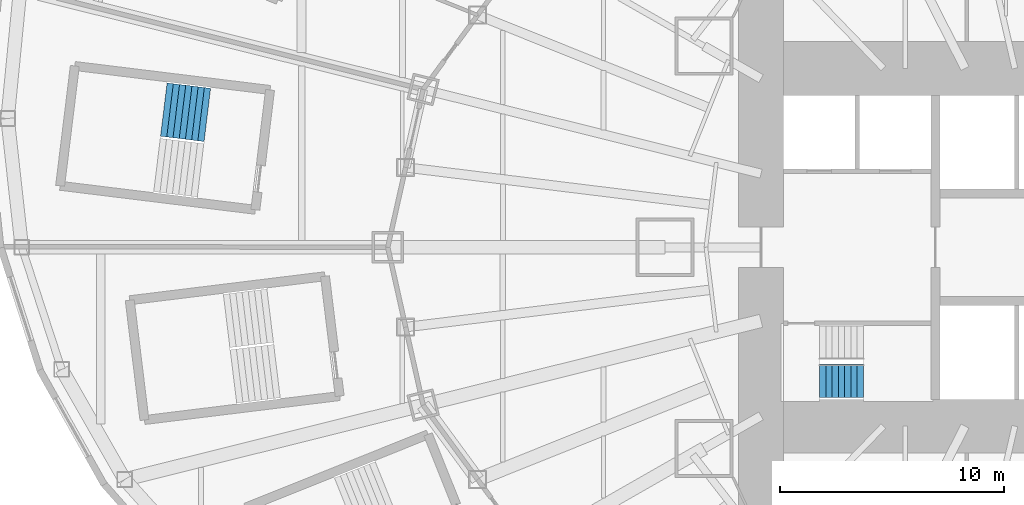
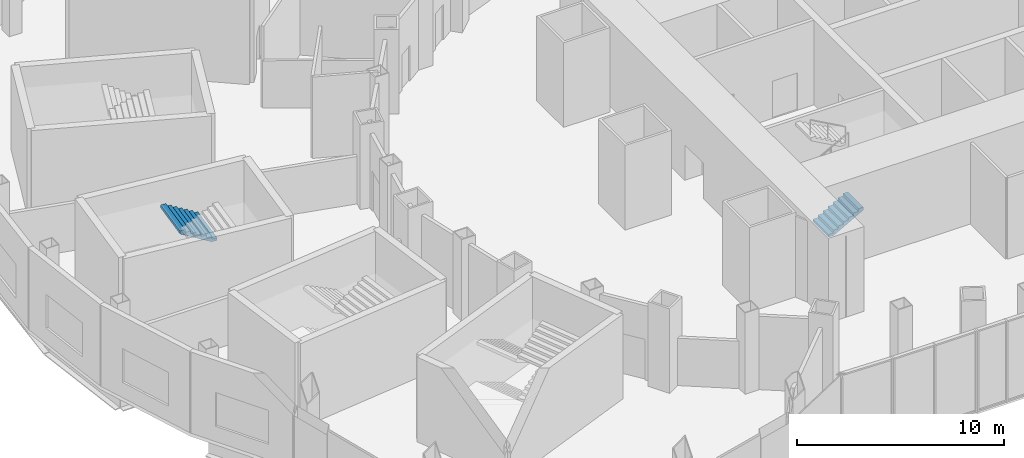
# One storey, part 30 of 73: 2 stair flights, 2 elements without a shape of their own.
"""IFC4 building model written with IfcOpenShell, lengths in metres."""

from ifc_helpers import new_model, si_unit, direction, frame, origin, place, context, subcontext, project, spatial, triangles, material, type_object, element, aggregate, save


model = new_model("IFC4")

# Units and contexts
model_context = context("Model", 3, precision=1e-05, world=origin(), true_north=direction((0.0, 1.0)))
body_context = subcontext(model_context, "Body", "Model", "MODEL_VIEW")
ifc_project = project(units=[si_unit("LENGTHUNIT", "METRE"), si_unit("AREAUNIT", "SQUARE_METRE"), si_unit("VOLUMEUNIT", "CUBIC_METRE"), si_unit("PLANEANGLEUNIT", "RADIAN"), si_unit("MASSUNIT", "GRAM", prefix="KILO")], contexts=[model_context])

# Site, building, storey
site_placement = place(None, origin())
site = spatial("IfcSite", under=ifc_project, at=site_placement, CompositionType="ELEMENT")
building_placement = place(site_placement, origin())
building = spatial("IfcBuilding", under=site, at=building_placement, Name="Lantaw Convention Tower", CompositionType="ELEMENT")
storey_placement = place(building_placement, frame((0.0, 0.0, 27.0)))
storey = spatial("IfcBuildingStorey", under=building, at=storey_placement, Name="L04", CompositionType="ELEMENT", Elevation=27.0)

# Stair, stair flight
ifc_material = material(Name="Concrete C35/45", Category="concrete")
stair_type_1 = type_object("IfcStairType", Name="Exit stair 1500 riser 156.25 in 4 flights", PredefinedType="HALF_TURN_STAIR", material=ifc_material)
stair_1_placement = place(storey_placement, origin())
stair_1 = element("IfcStair", 1, at=stair_1_placement, inside=storey, type_object=stair_type_1, Name="Exit stair S1 L04", PredefinedType="HALF_TURN_STAIR")
stair_flight_type_1 = type_object("IfcStairFlightType", Name="Stair flight 1500 riser 156.25", PredefinedType="STRAIGHT", material=ifc_material)
stair_flight_1_placement = place(storey_placement, frame((-10.580078125, -5.97998046875, 0.0), z_axis=(0.0, 0.0, 1.0), x_axis=(1.0, 0.0, 0.0)))
stair_flight_1 = element("IfcStairFlight", 2, at=stair_flight_1_placement, type_object=stair_flight_type_1, Name="S1 flight 1", NumberOfRisers=8, NumberOfTreads=7, PredefinedType="STRAIGHT", RiserHeight=0.15625, TreadLength=0.28, context=body_context, shape_type="Tessellation", body=[
    triangles([(0.0, 0.75, 0.0), (0.0, 0.75, 0.15625), (0.28, 0.75, 0.0), (0.28, 0.75, 0.15625), (0.28, 0.75, 0.3125), (0.3076200632058044, 0.75, 0.0), (0.3076200632058044, 0.75, 0.3125), (0.56, 0.75, 0.14083701830033238), (0.56, 0.75, 0.3125), (0.56, 0.75, 0.46875), (0.8400000000000001, 0.75, 0.29708701830033235), (0.8400000000000001, 0.75, 0.46875), (0.8400000000000001, 0.75, 0.625), (1.12, 0.75, 0.45333701830033235), (1.12, 0.75, 0.625), (1.12, 0.75, 0.78125), (1.4000000000000001, 0.75, 0.6095870183003324), (1.4000000000000001, 0.75, 0.78125), (1.4000000000000001, 0.75, 0.9375), (1.6800000000000002, 0.75, 0.7658370183003324), (1.6800000000000002, 0.75, 0.9375), (1.6800000000000002, 0.75, 1.09375), (1.9600000000000002, 0.75, 0.9220870183003324), (1.9600000000000002, 0.75, 1.09375), (0.0, -0.75, 0.0), (0.0, -0.75, 0.15625), (0.28, -0.75, 0.0), (0.28, -0.75, 0.15625), (0.28, -0.75, 0.3125), (0.3076200632058044, -0.75, 0.0), (0.3076200632058044, -0.75, 0.3125), (0.56, -0.75, 0.14083701830033238), (0.56, -0.75, 0.3125), (0.56, -0.75, 0.46875), (0.8400000000000001, -0.75, 0.29708701830033235), (0.8400000000000001, -0.75, 0.46875), (0.8400000000000001, -0.75, 0.625), (1.12, -0.75, 0.45333701830033235), (1.12, -0.75, 0.625), (1.12, -0.75, 0.78125), (1.4000000000000001, -0.75, 0.6095870183003324), (1.4000000000000001, -0.75, 0.78125), (1.4000000000000001, -0.75, 0.9375), (1.6800000000000002, -0.75, 0.7658370183003324), (1.6800000000000002, -0.75, 0.9375), (1.6800000000000002, -0.75, 1.09375), (1.9600000000000002, -0.75, 0.9220870183003324), (1.9600000000000002, -0.75, 1.09375), (0.0, 0.15000000000000002, 0.15625), (0.0, 0.15000000000000002, 0.0), (0.0, 0.0, 0.15625), (0.0, 0.0, 0.0), (0.0, -0.15000000000000002, 0.15625), (0.0, -0.15000000000000002, 0.0), (0.28, 0.15000000000000002, 0.3125), (0.28, 0.15000000000000002, 0.15625), (0.28, 0.0, 0.3125), (0.28, 0.0, 0.15625), (0.28, -0.15000000000000002, 0.3125), (0.28, -0.15000000000000002, 0.15625), (0.56, 0.15000000000000002, 0.46875), (0.56, 0.15000000000000002, 0.3125), (0.56, 0.0, 0.46875), (0.56, 0.0, 0.3125), (0.56, -0.15000000000000002, 0.46875), (0.56, -0.15000000000000002, 0.3125), (0.8400000000000001, 0.15000000000000002, 0.625), (0.8400000000000001, 0.15000000000000002, 0.46875), (0.8400000000000001, 0.0, 0.625), (0.8400000000000001, 0.0, 0.46875), (0.8400000000000001, -0.15000000000000002, 0.625), (0.8400000000000001, -0.15000000000000002, 0.46875), (1.12, 0.15000000000000002, 0.78125), (1.12, 0.15000000000000002, 0.625), (1.12, 0.0, 0.78125), (1.12, 0.0, 0.625), (1.12, -0.15000000000000002, 0.78125), (1.12, -0.15000000000000002, 0.625), (1.4000000000000001, 0.15000000000000002, 0.9375), (1.4000000000000001, 0.15000000000000002, 0.78125), (1.4000000000000001, 0.0, 0.9375), (1.4000000000000001, 0.0, 0.78125), (1.4000000000000001, -0.15000000000000002, 0.9375), (1.4000000000000001, -0.15000000000000002, 0.78125), (1.6800000000000002, 0.15000000000000002, 1.09375), (1.6800000000000002, 0.15000000000000002, 0.9375), (1.6800000000000002, 0.0, 1.09375), (1.6800000000000002, 0.0, 0.9375), (1.6800000000000002, -0.15000000000000002, 1.09375), (1.6800000000000002, -0.15000000000000002, 0.9375), (0.3076200632058044, 0.15000000000000002, 0.3125), (0.3076200632058044, 0.0, 0.3125), (0.3076200632058044, -0.15000000000000002, 0.3125), (1.9600000000000002, 0.15000000000000002, 1.09375), (1.9600000000000002, 0.0, 1.09375), (1.9600000000000002, -0.15000000000000002, 1.09375), (1.9600000000000002, 0.15000000000000002, 0.9220870183003324), (1.9600000000000002, 0.0, 0.9220870183003324), (1.9600000000000002, -0.15000000000000002, 0.9220870183003324), (1.6800000000000002, 0.15000000000000002, 0.7658370183003324), (1.6800000000000002, 0.0, 0.7658370183003324), (1.6800000000000002, -0.15000000000000002, 0.7658370183003324), (1.4000000000000001, 0.15000000000000002, 0.6095870183003324), (1.4000000000000001, 0.0, 0.6095870183003324), (1.4000000000000001, -0.15000000000000002, 0.6095870183003324), (1.12, 0.15000000000000002, 0.45333701830033235), (1.12, 0.0, 0.45333701830033235), (1.12, -0.15000000000000002, 0.45333701830033235), (0.8400000000000001, 0.15000000000000002, 0.29708701830033235), (0.8400000000000001, 0.0, 0.29708701830033235), (0.8400000000000001, -0.15000000000000002, 0.29708701830033235), (0.56, 0.15000000000000002, 0.14083701830033238), (0.56, 0.0, 0.14083701830033238), (0.56, -0.15000000000000002, 0.14083701830033238), (0.3076200632058044, 0.15000000000000002, 0.0), (0.3076200632058044, 0.0, 0.0), (0.3076200632058044, -0.15000000000000002, 0.0), (0.28, 0.15000000000000002, 0.0), (0.28, 0.0, 0.0), (0.28, -0.15000000000000002, 0.0)], [[1, 4, 3], [1, 2, 4], [3, 4, 6], [4, 7, 6], [4, 5, 7], [6, 9, 8], [6, 7, 9], [8, 9, 11], [9, 12, 11], [9, 10, 12], [11, 12, 14], [12, 15, 14], [12, 13, 15], [14, 15, 17], [15, 18, 17], [15, 16, 18], [17, 18, 20], [18, 21, 20], [18, 19, 21], [20, 21, 23], [21, 24, 23], [21, 22, 24], [25, 27, 28], [25, 28, 26], [27, 30, 28], [28, 30, 31], [28, 31, 29], [30, 32, 33], [30, 33, 31], [32, 35, 33], [33, 35, 36], [33, 36, 34], [35, 38, 36], [36, 38, 39], [36, 39, 37], [38, 41, 39], [39, 41, 42], [39, 42, 40], [41, 44, 42], [42, 44, 45], [42, 45, 43], [44, 47, 45], [45, 47, 48], [45, 48, 46], [1, 49, 2], [1, 50, 49], [50, 51, 49], [50, 52, 51], [52, 53, 51], [52, 54, 53], [54, 26, 53], [54, 25, 26], [4, 55, 5], [4, 56, 55], [56, 57, 55], [56, 58, 57], [58, 59, 57], [58, 60, 59], [60, 29, 59], [60, 28, 29], [9, 61, 10], [9, 62, 61], [62, 63, 61], [62, 64, 63], [64, 65, 63], [64, 66, 65], [66, 34, 65], [66, 33, 34], [12, 67, 13], [12, 68, 67], [68, 69, 67], [68, 70, 69], [70, 71, 69], [70, 72, 71], [72, 37, 71], [72, 36, 37], [15, 73, 16], [15, 74, 73], [74, 75, 73], [74, 76, 75], [76, 77, 75], [76, 78, 77], [78, 40, 77], [78, 39, 40], [18, 79, 19], [18, 80, 79], [80, 81, 79], [80, 82, 81], [82, 83, 81], [82, 84, 83], [84, 43, 83], [84, 42, 43], [21, 85, 22], [21, 86, 85], [86, 87, 85], [86, 88, 87], [88, 89, 87], [88, 90, 89], [90, 46, 89], [90, 45, 46], [2, 56, 4], [2, 49, 56], [49, 58, 56], [49, 51, 58], [51, 60, 58], [51, 53, 60], [53, 28, 60], [53, 26, 28], [5, 91, 7], [5, 55, 91], [55, 92, 91], [55, 57, 92], [57, 93, 92], [57, 59, 93], [59, 31, 93], [59, 29, 31], [7, 62, 9], [7, 91, 62], [91, 64, 62], [91, 92, 64], [92, 66, 64], [92, 93, 66], [93, 33, 66], [93, 31, 33], [10, 68, 12], [10, 61, 68], [61, 70, 68], [61, 63, 70], [63, 72, 70], [63, 65, 72], [65, 36, 72], [65, 34, 36], [13, 74, 15], [13, 67, 74], [67, 76, 74], [67, 69, 76], [69, 78, 76], [69, 71, 78], [71, 39, 78], [71, 37, 39], [16, 80, 18], [16, 73, 80], [73, 82, 80], [73, 75, 82], [75, 84, 82], [75, 77, 84], [77, 42, 84], [77, 40, 42], [19, 86, 21], [19, 79, 86], [79, 88, 86], [79, 81, 88], [81, 90, 88], [81, 83, 90], [83, 45, 90], [83, 43, 45], [22, 94, 24], [22, 85, 94], [85, 95, 94], [85, 87, 95], [87, 96, 95], [87, 89, 96], [89, 48, 96], [89, 46, 48], [24, 97, 23], [24, 94, 97], [94, 98, 97], [94, 95, 98], [95, 99, 98], [95, 96, 99], [96, 47, 99], [96, 48, 47], [23, 100, 20], [23, 97, 100], [97, 101, 100], [97, 98, 101], [98, 102, 101], [98, 99, 102], [99, 44, 102], [99, 47, 44], [20, 103, 17], [20, 100, 103], [100, 104, 103], [100, 101, 104], [101, 105, 104], [101, 102, 105], [102, 41, 105], [102, 44, 41], [17, 106, 14], [17, 103, 106], [103, 107, 106], [103, 104, 107], [104, 108, 107], [104, 105, 108], [105, 38, 108], [105, 41, 38], [14, 109, 11], [14, 106, 109], [106, 110, 109], [106, 107, 110], [107, 111, 110], [107, 108, 111], [108, 35, 111], [108, 38, 35], [11, 112, 8], [11, 109, 112], [109, 113, 112], [109, 110, 113], [110, 114, 113], [110, 111, 114], [111, 32, 114], [111, 35, 32], [8, 115, 6], [8, 112, 115], [112, 116, 115], [112, 113, 116], [113, 117, 116], [113, 114, 117], [114, 30, 117], [114, 32, 30], [6, 118, 3], [6, 115, 118], [115, 119, 118], [115, 116, 119], [116, 120, 119], [116, 117, 120], [117, 27, 120], [117, 30, 27], [3, 50, 1], [3, 118, 50], [118, 52, 50], [118, 119, 52], [119, 54, 52], [119, 120, 54], [120, 25, 54], [120, 27, 25]], closed=True),
])
aggregate(stair_1, [stair_flight_1])

stair_type_2 = type_object("IfcStairType", Name="Exit stair 2400 riser 156.25 in 4 flights", PredefinedType="HALF_TURN_STAIR", material=ifc_material)
stair_2_placement = place(storey_placement, origin())
stair_2 = element("IfcStair", 3, at=stair_2_placement, inside=storey, type_object=stair_type_2, Name="Podium exit stair P9 L04", PredefinedType="HALF_TURN_STAIR")
stair_flight_type_2 = type_object("IfcStairFlightType", Name="Stair flight 2400 riser 156.25", PredefinedType="STRAIGHT", material=ifc_material)
stair_flight_2_placement = place(storey_placement, frame((-37.9716796875, 5.921630859375, 2.5), z_axis=(0.0, 0.0, 1.0), x_axis=(-0.992546151641, 0.121869343405, 0.0)))
stair_flight_2 = element("IfcStairFlight", 4, at=stair_flight_2_placement, type_object=stair_flight_type_2, Name="P9 flight 3", NumberOfRisers=8, NumberOfTreads=7, PredefinedType="STRAIGHT", RiserHeight=0.15625, TreadLength=0.28, context=body_context, shape_type="Tessellation", body=[
    triangles([(0.0, 1.199951171875, 0.0), (0.0, 1.199951171875, 0.15625), (0.28, 1.199951171875, 0.0), (0.28, 1.199951171875, 0.15625), (0.28, 1.199951171875, 0.3125), (0.3076200632058044, 1.199951171875, 0.0), (0.3076200632058044, 1.199951171875, 0.3125), (0.56, 1.199951171875, 0.14083701830033238), (0.56, 1.199951171875, 0.3125), (0.56, 1.199951171875, 0.46875), (0.8400000000000001, 1.199951171875, 0.29708701830033235), (0.8400000000000001, 1.199951171875, 0.46875), (0.8400000000000001, 1.199951171875, 0.625), (1.12, 1.199951171875, 0.45333701830033235), (1.12, 1.199951171875, 0.625), (1.12, 1.199951171875, 0.78125), (1.4000000000000001, 1.199951171875, 0.6095870183003324), (1.4000000000000001, 1.199951171875, 0.78125), (1.4000000000000001, 1.199951171875, 0.9375), (1.6800000000000002, 1.199951171875, 0.7658370183003324), (1.6800000000000002, 1.199951171875, 0.9375), (1.6800000000000002, 1.199951171875, 1.09375), (1.9600000000000002, 1.199951171875, 0.9220870183003324), (1.9600000000000002, 1.199951171875, 1.09375), (0.0, -1.199951171875, 0.0), (0.0, -1.199951171875, 0.15625), (0.28, -1.199951171875, 0.0), (0.28, -1.199951171875, 0.15625), (0.28, -1.199951171875, 0.3125), (0.3076200632058044, -1.199951171875, 0.0), (0.3076200632058044, -1.199951171875, 0.3125), (0.56, -1.199951171875, 0.14083701830033238), (0.56, -1.199951171875, 0.3125), (0.56, -1.199951171875, 0.46875), (0.8400000000000001, -1.199951171875, 0.29708701830033235), (0.8400000000000001, -1.199951171875, 0.46875), (0.8400000000000001, -1.199951171875, 0.625), (1.12, -1.199951171875, 0.45333701830033235), (1.12, -1.199951171875, 0.625), (1.12, -1.199951171875, 0.78125), (1.4000000000000001, -1.199951171875, 0.6095870183003324), (1.4000000000000001, -1.199951171875, 0.78125), (1.4000000000000001, -1.199951171875, 0.9375), (1.6800000000000002, -1.199951171875, 0.7658370183003324), (1.6800000000000002, -1.199951171875, 0.9375), (1.6800000000000002, -1.199951171875, 1.09375), (1.9600000000000002, -1.199951171875, 0.9220870183003324), (1.9600000000000002, -1.199951171875, 1.09375), (0.0, 0.239990234375, 0.15625), (0.0, 0.239990234375, 0.0), (0.0, 0.1919921875, 0.15625), (0.0, 0.1919921875, 0.0), (0.0, 0.143994140625, 0.15625), (0.0, 0.143994140625, 0.0), (0.0, 0.09599609375, 0.15625), (0.0, 0.09599609375, 0.0), (0.0, 0.047998046875, 0.15625), (0.0, 0.047998046875, 0.0), (0.0, 0.0, 0.15625), (0.0, 0.0, 0.0), (0.0, -0.047998046875, 0.15625), (0.0, -0.047998046875, 0.0), (0.0, -0.09599609375, 0.15625), (0.0, -0.09599609375, 0.0), (0.0, -0.143994140625, 0.15625), (0.0, -0.143994140625, 0.0), (0.0, -0.1919921875, 0.15625), (0.0, -0.1919921875, 0.0), (0.0, -0.239990234375, 0.15625), (0.0, -0.239990234375, 0.0), (0.28, 0.239990234375, 0.3125), (0.28, 0.239990234375, 0.15625), (0.28, 0.1919921875, 0.3125), (0.28, 0.1919921875, 0.15625), (0.28, 0.143994140625, 0.3125), (0.28, 0.143994140625, 0.15625), (0.28, 0.09599609375, 0.3125), (0.28, 0.09599609375, 0.15625), (0.28, 0.047998046875, 0.3125), (0.28, 0.047998046875, 0.15625), (0.28, 0.0, 0.3125), (0.28, 0.0, 0.15625), (0.28, -0.047998046875, 0.3125), (0.28, -0.047998046875, 0.15625), (0.28, -0.09599609375, 0.3125), (0.28, -0.09599609375, 0.15625), (0.28, -0.143994140625, 0.3125), (0.28, -0.143994140625, 0.15625), (0.28, -0.1919921875, 0.3125), (0.28, -0.1919921875, 0.15625), (0.28, -0.239990234375, 0.3125), (0.28, -0.239990234375, 0.15625), (0.56, 0.239990234375, 0.46875), (0.56, 0.239990234375, 0.3125), (0.56, 0.1919921875, 0.46875), (0.56, 0.1919921875, 0.3125), (0.56, 0.143994140625, 0.46875), (0.56, 0.143994140625, 0.3125), (0.56, 0.09599609375, 0.46875), (0.56, 0.09599609375, 0.3125), (0.56, 0.047998046875, 0.46875), (0.56, 0.047998046875, 0.3125), (0.56, 0.0, 0.46875), (0.56, 0.0, 0.3125), (0.56, -0.047998046875, 0.46875), (0.56, -0.047998046875, 0.3125), (0.56, -0.09599609375, 0.46875), (0.56, -0.09599609375, 0.3125), (0.56, -0.143994140625, 0.46875), (0.56, -0.143994140625, 0.3125), (0.56, -0.1919921875, 0.46875), (0.56, -0.1919921875, 0.3125), (0.56, -0.239990234375, 0.46875), (0.56, -0.239990234375, 0.3125), (0.8400000000000001, 0.239990234375, 0.625), (0.8400000000000001, 0.239990234375, 0.46875), (0.8400000000000001, 0.1919921875, 0.625), (0.8400000000000001, 0.1919921875, 0.46875), (0.8400000000000001, 0.143994140625, 0.625), (0.8400000000000001, 0.143994140625, 0.46875), (0.8400000000000001, 0.09599609375, 0.625), (0.8400000000000001, 0.09599609375, 0.46875), (0.8400000000000001, 0.047998046875, 0.625), (0.8400000000000001, 0.047998046875, 0.46875), (0.8400000000000001, 0.0, 0.625), (0.8400000000000001, 0.0, 0.46875), (0.8400000000000001, -0.047998046875, 0.625), (0.8400000000000001, -0.047998046875, 0.46875), (0.8400000000000001, -0.09599609375, 0.625), (0.8400000000000001, -0.09599609375, 0.46875), (0.8400000000000001, -0.143994140625, 0.625), (0.8400000000000001, -0.143994140625, 0.46875), (0.8400000000000001, -0.1919921875, 0.625), (0.8400000000000001, -0.1919921875, 0.46875), (0.8400000000000001, -0.239990234375, 0.625), (0.8400000000000001, -0.239990234375, 0.46875), (1.12, 0.239990234375, 0.78125), (1.12, 0.239990234375, 0.625), (1.12, 0.1919921875, 0.78125), (1.12, 0.1919921875, 0.625), (1.12, 0.143994140625, 0.78125), (1.12, 0.143994140625, 0.625), (1.12, 0.09599609375, 0.78125), (1.12, 0.09599609375, 0.625), (1.12, 0.047998046875, 0.78125), (1.12, 0.047998046875, 0.625), (1.12, 0.0, 0.78125), (1.12, 0.0, 0.625), (1.12, -0.047998046875, 0.78125), (1.12, -0.047998046875, 0.625), (1.12, -0.09599609375, 0.78125), (1.12, -0.09599609375, 0.625), (1.12, -0.143994140625, 0.78125), (1.12, -0.143994140625, 0.625), (1.12, -0.1919921875, 0.78125), (1.12, -0.1919921875, 0.625), (1.12, -0.239990234375, 0.78125), (1.12, -0.239990234375, 0.625), (1.4000000000000001, 0.239990234375, 0.9375), (1.4000000000000001, 0.239990234375, 0.78125), (1.4000000000000001, 0.1919921875, 0.9375), (1.4000000000000001, 0.1919921875, 0.78125), (1.4000000000000001, 0.143994140625, 0.9375), (1.4000000000000001, 0.143994140625, 0.78125), (1.4000000000000001, 0.09599609375, 0.9375), (1.4000000000000001, 0.09599609375, 0.78125), (1.4000000000000001, 0.047998046875, 0.9375), (1.4000000000000001, 0.047998046875, 0.78125), (1.4000000000000001, 0.0, 0.9375), (1.4000000000000001, 0.0, 0.78125), (1.4000000000000001, -0.047998046875, 0.9375), (1.4000000000000001, -0.047998046875, 0.78125), (1.4000000000000001, -0.09599609375, 0.9375), (1.4000000000000001, -0.09599609375, 0.78125), (1.4000000000000001, -0.143994140625, 0.9375), (1.4000000000000001, -0.143994140625, 0.78125), (1.4000000000000001, -0.1919921875, 0.9375), (1.4000000000000001, -0.1919921875, 0.78125), (1.4000000000000001, -0.239990234375, 0.9375), (1.4000000000000001, -0.239990234375, 0.78125), (1.6800000000000002, 0.239990234375, 1.09375), (1.6800000000000002, 0.239990234375, 0.9375), (1.6800000000000002, 0.1919921875, 1.09375), (1.6800000000000002, 0.1919921875, 0.9375), (1.6800000000000002, 0.143994140625, 1.09375), (1.6800000000000002, 0.143994140625, 0.9375), (1.6800000000000002, 0.09599609375, 1.09375), (1.6800000000000002, 0.09599609375, 0.9375), (1.6800000000000002, 0.047998046875, 1.09375), (1.6800000000000002, 0.047998046875, 0.9375), (1.6800000000000002, 0.0, 1.09375), (1.6800000000000002, 0.0, 0.9375), (1.6800000000000002, -0.047998046875, 1.09375), (1.6800000000000002, -0.047998046875, 0.9375), (1.6800000000000002, -0.09599609375, 1.09375), (1.6800000000000002, -0.09599609375, 0.9375), (1.6800000000000002, -0.143994140625, 1.09375), (1.6800000000000002, -0.143994140625, 0.9375), (1.6800000000000002, -0.1919921875, 1.09375), (1.6800000000000002, -0.1919921875, 0.9375), (1.6800000000000002, -0.239990234375, 1.09375), (1.6800000000000002, -0.239990234375, 0.9375), (0.3076200632058044, 0.239990234375, 0.3125), (0.3076200632058044, 0.1919921875, 0.3125), (0.3076200632058044, 0.143994140625, 0.3125), (0.3076200632058044, 0.09599609375, 0.3125), (0.3076200632058044, 0.047998046875, 0.3125), (0.3076200632058044, 0.0, 0.3125), (0.3076200632058044, -0.047998046875, 0.3125), (0.3076200632058044, -0.09599609375, 0.3125), (0.3076200632058044, -0.143994140625, 0.3125), (0.3076200632058044, -0.1919921875, 0.3125), (0.3076200632058044, -0.239990234375, 0.3125), (1.9600000000000002, 0.239990234375, 1.09375), (1.9600000000000002, 0.1919921875, 1.09375), (1.9600000000000002, 0.143994140625, 1.09375), (1.9600000000000002, 0.09599609375, 1.09375), (1.9600000000000002, 0.047998046875, 1.09375), (1.9600000000000002, 0.0, 1.09375), (1.9600000000000002, -0.047998046875, 1.09375), (1.9600000000000002, -0.09599609375, 1.09375), (1.9600000000000002, -0.143994140625, 1.09375), (1.9600000000000002, -0.1919921875, 1.09375), (1.9600000000000002, -0.239990234375, 1.09375), (1.9600000000000002, 0.239990234375, 0.9220870183003324), (1.9600000000000002, 0.1919921875, 0.9220870183003324), (1.9600000000000002, 0.143994140625, 0.9220870183003324), (1.9600000000000002, 0.09599609375, 0.9220870183003324), (1.9600000000000002, 0.047998046875, 0.9220870183003324), (1.9600000000000002, 0.0, 0.9220870183003324), (1.9600000000000002, -0.047998046875, 0.9220870183003324), (1.9600000000000002, -0.09599609375, 0.9220870183003324), (1.9600000000000002, -0.143994140625, 0.9220870183003324), (1.9600000000000002, -0.1919921875, 0.9220870183003324), (1.9600000000000002, -0.239990234375, 0.9220870183003324), (1.6800000000000002, 0.239990234375, 0.7658370183003324), (1.6800000000000002, 0.1919921875, 0.7658370183003324), (1.6800000000000002, 0.143994140625, 0.7658370183003324), (1.6800000000000002, 0.09599609375, 0.7658370183003324), (1.6800000000000002, 0.047998046875, 0.7658370183003324), (1.6800000000000002, 0.0, 0.7658370183003324), (1.6800000000000002, -0.047998046875, 0.7658370183003324), (1.6800000000000002, -0.09599609375, 0.7658370183003324), (1.6800000000000002, -0.143994140625, 0.7658370183003324), (1.6800000000000002, -0.1919921875, 0.7658370183003324), (1.6800000000000002, -0.239990234375, 0.7658370183003324), (1.4000000000000001, 0.239990234375, 0.6095870183003324), (1.4000000000000001, 0.1919921875, 0.6095870183003324), (1.4000000000000001, 0.143994140625, 0.6095870183003324), (1.4000000000000001, 0.09599609375, 0.6095870183003324), (1.4000000000000001, 0.047998046875, 0.6095870183003324), (1.4000000000000001, 0.0, 0.6095870183003324), (1.4000000000000001, -0.047998046875, 0.6095870183003324), (1.4000000000000001, -0.09599609375, 0.6095870183003324), (1.4000000000000001, -0.143994140625, 0.6095870183003324), (1.4000000000000001, -0.1919921875, 0.6095870183003324), (1.4000000000000001, -0.239990234375, 0.6095870183003324), (1.12, 0.239990234375, 0.45333701830033235), (1.12, 0.1919921875, 0.45333701830033235), (1.12, 0.143994140625, 0.45333701830033235), (1.12, 0.09599609375, 0.45333701830033235), (1.12, 0.047998046875, 0.45333701830033235), (1.12, 0.0, 0.45333701830033235), (1.12, -0.047998046875, 0.45333701830033235), (1.12, -0.09599609375, 0.45333701830033235), (1.12, -0.143994140625, 0.45333701830033235), (1.12, -0.1919921875, 0.45333701830033235), (1.12, -0.239990234375, 0.45333701830033235), (0.8400000000000001, 0.239990234375, 0.29708701830033235), (0.8400000000000001, 0.1919921875, 0.29708701830033235), (0.8400000000000001, 0.143994140625, 0.29708701830033235), (0.8400000000000001, 0.09599609375, 0.29708701830033235), (0.8400000000000001, 0.047998046875, 0.29708701830033235), (0.8400000000000001, 0.0, 0.29708701830033235), (0.8400000000000001, -0.047998046875, 0.29708701830033235), (0.8400000000000001, -0.09599609375, 0.29708701830033235), (0.8400000000000001, -0.143994140625, 0.29708701830033235), (0.8400000000000001, -0.1919921875, 0.29708701830033235), (0.8400000000000001, -0.239990234375, 0.29708701830033235), (0.56, 0.239990234375, 0.14083701830033238), (0.56, 0.1919921875, 0.14083701830033238), (0.56, 0.143994140625, 0.14083701830033238), (0.56, 0.09599609375, 0.14083701830033238), (0.56, 0.047998046875, 0.14083701830033238), (0.56, 0.0, 0.14083701830033238), (0.56, -0.047998046875, 0.14083701830033238), (0.56, -0.09599609375, 0.14083701830033238), (0.56, -0.143994140625, 0.14083701830033238), (0.56, -0.1919921875, 0.14083701830033238), (0.56, -0.239990234375, 0.14083701830033238), (0.3076200632058044, 0.239990234375, 0.0), (0.3076200632058044, 0.1919921875, 0.0), (0.3076200632058044, 0.143994140625, 0.0), (0.3076200632058044, 0.09599609375, 0.0), (0.3076200632058044, 0.047998046875, 0.0), (0.3076200632058044, 0.0, 0.0), (0.3076200632058044, -0.047998046875, 0.0), (0.3076200632058044, -0.09599609375, 0.0), (0.3076200632058044, -0.143994140625, 0.0), (0.3076200632058044, -0.1919921875, 0.0), (0.3076200632058044, -0.239990234375, 0.0), (0.28, 0.239990234375, 0.0), (0.28, 0.1919921875, 0.0), (0.28, 0.143994140625, 0.0), (0.28, 0.09599609375, 0.0), (0.28, 0.047998046875, 0.0), (0.28, 0.0, 0.0), (0.28, -0.047998046875, 0.0), (0.28, -0.09599609375, 0.0), (0.28, -0.143994140625, 0.0), (0.28, -0.1919921875, 0.0), (0.28, -0.239990234375, 0.0)], [[1, 4, 3], [1, 2, 4], [3, 4, 6], [4, 7, 6], [4, 5, 7], [6, 9, 8], [6, 7, 9], [8, 9, 11], [9, 12, 11], [9, 10, 12], [11, 12, 14], [12, 15, 14], [12, 13, 15], [14, 15, 17], [15, 18, 17], [15, 16, 18], [17, 18, 20], [18, 21, 20], [18, 19, 21], [20, 21, 23], [21, 24, 23], [21, 22, 24], [25, 27, 28], [25, 28, 26], [27, 30, 28], [28, 30, 31], [28, 31, 29], [30, 32, 33], [30, 33, 31], [32, 35, 33], [33, 35, 36], [33, 36, 34], [35, 38, 36], [36, 38, 39], [36, 39, 37], [38, 41, 39], [39, 41, 42], [39, 42, 40], [41, 44, 42], [42, 44, 45], [42, 45, 43], [44, 47, 45], [45, 47, 48], [45, 48, 46], [1, 49, 2], [1, 50, 49], [50, 51, 49], [50, 52, 51], [52, 53, 51], [52, 54, 53], [54, 55, 53], [54, 56, 55], [56, 57, 55], [56, 58, 57], [58, 59, 57], [58, 60, 59], [60, 61, 59], [60, 62, 61], [62, 63, 61], [62, 64, 63], [64, 65, 63], [64, 66, 65], [66, 67, 65], [66, 68, 67], [68, 69, 67], [68, 70, 69], [70, 26, 69], [70, 25, 26], [4, 71, 5], [4, 72, 71], [72, 73, 71], [72, 74, 73], [74, 75, 73], [74, 76, 75], [76, 77, 75], [76, 78, 77], [78, 79, 77], [78, 80, 79], [80, 81, 79], [80, 82, 81], [82, 83, 81], [82, 84, 83], [84, 85, 83], [84, 86, 85], [86, 87, 85], [86, 88, 87], [88, 89, 87], [88, 90, 89], [90, 91, 89], [90, 92, 91], [92, 29, 91], [92, 28, 29], [9, 93, 10], [9, 94, 93], [94, 95, 93], [94, 96, 95], [96, 97, 95], [96, 98, 97], [98, 99, 97], [98, 100, 99], [100, 101, 99], [100, 102, 101], [102, 103, 101], [102, 104, 103], [104, 105, 103], [104, 106, 105], [106, 107, 105], [106, 108, 107], [108, 109, 107], [108, 110, 109], [110, 111, 109], [110, 112, 111], [112, 113, 111], [112, 114, 113], [114, 34, 113], [114, 33, 34], [12, 115, 13], [12, 116, 115], [116, 117, 115], [116, 118, 117], [118, 119, 117], [118, 120, 119], [120, 121, 119], [120, 122, 121], [122, 123, 121], [122, 124, 123], [124, 125, 123], [124, 126, 125], [126, 127, 125], [126, 128, 127], [128, 129, 127], [128, 130, 129], [130, 131, 129], [130, 132, 131], [132, 133, 131], [132, 134, 133], [134, 135, 133], [134, 136, 135], [136, 37, 135], [136, 36, 37], [15, 137, 16], [15, 138, 137], [138, 139, 137], [138, 140, 139], [140, 141, 139], [140, 142, 141], [142, 143, 141], [142, 144, 143], [144, 145, 143], [144, 146, 145], [146, 147, 145], [146, 148, 147], [148, 149, 147], [148, 150, 149], [150, 151, 149], [150, 152, 151], [152, 153, 151], [152, 154, 153], [154, 155, 153], [154, 156, 155], [156, 157, 155], [156, 158, 157], [158, 40, 157], [158, 39, 40], [18, 159, 19], [18, 160, 159], [160, 161, 159], [160, 162, 161], [162, 163, 161], [162, 164, 163], [164, 165, 163], [164, 166, 165], [166, 167, 165], [166, 168, 167], [168, 169, 167], [168, 170, 169], [170, 171, 169], [170, 172, 171], [172, 173, 171], [172, 174, 173], [174, 175, 173], [174, 176, 175], [176, 177, 175], [176, 178, 177], [178, 179, 177], [178, 180, 179], [180, 43, 179], [180, 42, 43], [21, 181, 22], [21, 182, 181], [182, 183, 181], [182, 184, 183], [184, 185, 183], [184, 186, 185], [186, 187, 185], [186, 188, 187], [188, 189, 187], [188, 190, 189], [190, 191, 189], [190, 192, 191], [192, 193, 191], [192, 194, 193], [194, 195, 193], [194, 196, 195], [196, 197, 195], [196, 198, 197], [198, 199, 197], [198, 200, 199], [200, 201, 199], [200, 202, 201], [202, 46, 201], [202, 45, 46], [2, 72, 4], [2, 49, 72], [49, 74, 72], [49, 51, 74], [51, 76, 74], [51, 53, 76], [53, 78, 76], [53, 55, 78], [55, 80, 78], [55, 57, 80], [57, 82, 80], [57, 59, 82], [59, 84, 82], [59, 61, 84], [61, 86, 84], [61, 63, 86], [63, 88, 86], [63, 65, 88], [65, 90, 88], [65, 67, 90], [67, 92, 90], [67, 69, 92], [69, 28, 92], [69, 26, 28], [5, 203, 7], [5, 71, 203], [71, 204, 203], [71, 73, 204], [73, 205, 204], [73, 75, 205], [75, 206, 205], [75, 77, 206], [77, 207, 206], [77, 79, 207], [79, 208, 207], [79, 81, 208], [81, 209, 208], [81, 83, 209], [83, 210, 209], [83, 85, 210], [85, 211, 210], [85, 87, 211], [87, 212, 211], [87, 89, 212], [89, 213, 212], [89, 91, 213], [91, 31, 213], [91, 29, 31], [7, 94, 9], [7, 203, 94], [203, 96, 94], [203, 204, 96], [204, 98, 96], [204, 205, 98], [205, 100, 98], [205, 206, 100], [206, 102, 100], [206, 207, 102], [207, 104, 102], [207, 208, 104], [208, 106, 104], [208, 209, 106], [209, 108, 106], [209, 210, 108], [210, 110, 108], [210, 211, 110], [211, 112, 110], [211, 212, 112], [212, 114, 112], [212, 213, 114], [213, 33, 114], [213, 31, 33], [10, 116, 12], [10, 93, 116], [93, 118, 116], [93, 95, 118], [95, 120, 118], [95, 97, 120], [97, 122, 120], [97, 99, 122], [99, 124, 122], [99, 101, 124], [101, 126, 124], [101, 103, 126], [103, 128, 126], [103, 105, 128], [105, 130, 128], [105, 107, 130], [107, 132, 130], [107, 109, 132], [109, 134, 132], [109, 111, 134], [111, 136, 134], [111, 113, 136], [113, 36, 136], [113, 34, 36], [13, 138, 15], [13, 115, 138], [115, 140, 138], [115, 117, 140], [117, 142, 140], [117, 119, 142], [119, 144, 142], [119, 121, 144], [121, 146, 144], [121, 123, 146], [123, 148, 146], [123, 125, 148], [125, 150, 148], [125, 127, 150], [127, 152, 150], [127, 129, 152], [129, 154, 152], [129, 131, 154], [131, 156, 154], [131, 133, 156], [133, 158, 156], [133, 135, 158], [135, 39, 158], [135, 37, 39], [16, 160, 18], [16, 137, 160], [137, 162, 160], [137, 139, 162], [139, 164, 162], [139, 141, 164], [141, 166, 164], [141, 143, 166], [143, 168, 166], [143, 145, 168], [145, 170, 168], [145, 147, 170], [147, 172, 170], [147, 149, 172], [149, 174, 172], [149, 151, 174], [151, 176, 174], [151, 153, 176], [153, 178, 176], [153, 155, 178], [155, 180, 178], [155, 157, 180], [157, 42, 180], [157, 40, 42], [19, 182, 21], [19, 159, 182], [159, 184, 182], [159, 161, 184], [161, 186, 184], [161, 163, 186], [163, 188, 186], [163, 165, 188], [165, 190, 188], [165, 167, 190], [167, 192, 190], [167, 169, 192], [169, 194, 192], [169, 171, 194], [171, 196, 194], [171, 173, 196], [173, 198, 196], [173, 175, 198], [175, 200, 198], [175, 177, 200], [177, 202, 200], [177, 179, 202], [179, 45, 202], [179, 43, 45], [22, 214, 24], [22, 181, 214], [181, 215, 214], [181, 183, 215], [183, 216, 215], [183, 185, 216], [185, 217, 216], [185, 187, 217], [187, 218, 217], [187, 189, 218], [189, 219, 218], [189, 191, 219], [191, 220, 219], [191, 193, 220], [193, 221, 220], [193, 195, 221], [195, 222, 221], [195, 197, 222], [197, 223, 222], [197, 199, 223], [199, 224, 223], [199, 201, 224], [201, 48, 224], [201, 46, 48], [24, 225, 23], [24, 214, 225], [214, 226, 225], [214, 215, 226], [215, 227, 226], [215, 216, 227], [216, 228, 227], [216, 217, 228], [217, 229, 228], [217, 218, 229], [218, 230, 229], [218, 219, 230], [219, 231, 230], [219, 220, 231], [220, 232, 231], [220, 221, 232], [221, 233, 232], [221, 222, 233], [222, 234, 233], [222, 223, 234], [223, 235, 234], [223, 224, 235], [224, 47, 235], [224, 48, 47], [23, 236, 20], [23, 225, 236], [225, 237, 236], [225, 226, 237], [226, 238, 237], [226, 227, 238], [227, 239, 238], [227, 228, 239], [228, 240, 239], [228, 229, 240], [229, 241, 240], [229, 230, 241], [230, 242, 241], [230, 231, 242], [231, 243, 242], [231, 232, 243], [232, 244, 243], [232, 233, 244], [233, 245, 244], [233, 234, 245], [234, 246, 245], [234, 235, 246], [235, 44, 246], [235, 47, 44], [20, 247, 17], [20, 236, 247], [236, 248, 247], [236, 237, 248], [237, 249, 248], [237, 238, 249], [238, 250, 249], [238, 239, 250], [239, 251, 250], [239, 240, 251], [240, 252, 251], [240, 241, 252], [241, 253, 252], [241, 242, 253], [242, 254, 253], [242, 243, 254], [243, 255, 254], [243, 244, 255], [244, 256, 255], [244, 245, 256], [245, 257, 256], [245, 246, 257], [246, 41, 257], [246, 44, 41], [17, 258, 14], [17, 247, 258], [247, 259, 258], [247, 248, 259], [248, 260, 259], [248, 249, 260], [249, 261, 260], [249, 250, 261], [250, 262, 261], [250, 251, 262], [251, 263, 262], [251, 252, 263], [252, 264, 263], [252, 253, 264], [253, 265, 264], [253, 254, 265], [254, 266, 265], [254, 255, 266], [255, 267, 266], [255, 256, 267], [256, 268, 267], [256, 257, 268], [257, 38, 268], [257, 41, 38], [14, 269, 11], [14, 258, 269], [258, 270, 269], [258, 259, 270], [259, 271, 270], [259, 260, 271], [260, 272, 271], [260, 261, 272], [261, 273, 272], [261, 262, 273], [262, 274, 273], [262, 263, 274], [263, 275, 274], [263, 264, 275], [264, 276, 275], [264, 265, 276], [265, 277, 276], [265, 266, 277], [266, 278, 277], [266, 267, 278], [267, 279, 278], [267, 268, 279], [268, 35, 279], [268, 38, 35], [11, 280, 8], [11, 269, 280], [269, 281, 280], [269, 270, 281], [270, 282, 281], [270, 271, 282], [271, 283, 282], [271, 272, 283], [272, 284, 283], [272, 273, 284], [273, 285, 284], [273, 274, 285], [274, 286, 285], [274, 275, 286], [275, 287, 286], [275, 276, 287], [276, 288, 287], [276, 277, 288], [277, 289, 288], [277, 278, 289], [278, 290, 289], [278, 279, 290], [279, 32, 290], [279, 35, 32], [8, 291, 6], [8, 280, 291], [280, 292, 291], [280, 281, 292], [281, 293, 292], [281, 282, 293], [282, 294, 293], [282, 283, 294], [283, 295, 294], [283, 284, 295], [284, 296, 295], [284, 285, 296], [285, 297, 296], [285, 286, 297], [286, 298, 297], [286, 287, 298], [287, 299, 298], [287, 288, 299], [288, 300, 299], [288, 289, 300], [289, 301, 300], [289, 290, 301], [290, 30, 301], [290, 32, 30], [6, 302, 3], [6, 291, 302], [291, 303, 302], [291, 292, 303], [292, 304, 303], [292, 293, 304], [293, 305, 304], [293, 294, 305], [294, 306, 305], [294, 295, 306], [295, 307, 306], [295, 296, 307], [296, 308, 307], [296, 297, 308], [297, 309, 308], [297, 298, 309], [298, 310, 309], [298, 299, 310], [299, 311, 310], [299, 300, 311], [300, 312, 311], [300, 301, 312], [301, 27, 312], [301, 30, 27], [3, 50, 1], [3, 302, 50], [302, 52, 50], [302, 303, 52], [303, 54, 52], [303, 304, 54], [304, 56, 54], [304, 305, 56], [305, 58, 56], [305, 306, 58], [306, 60, 58], [306, 307, 60], [307, 62, 60], [307, 308, 62], [308, 64, 62], [308, 309, 64], [309, 66, 64], [309, 310, 66], [310, 68, 66], [310, 311, 68], [311, 70, 68], [311, 312, 70], [312, 25, 70], [312, 27, 25]], closed=True),
])
aggregate(stair_2, [stair_flight_2])

save(model, "model.ifc")
